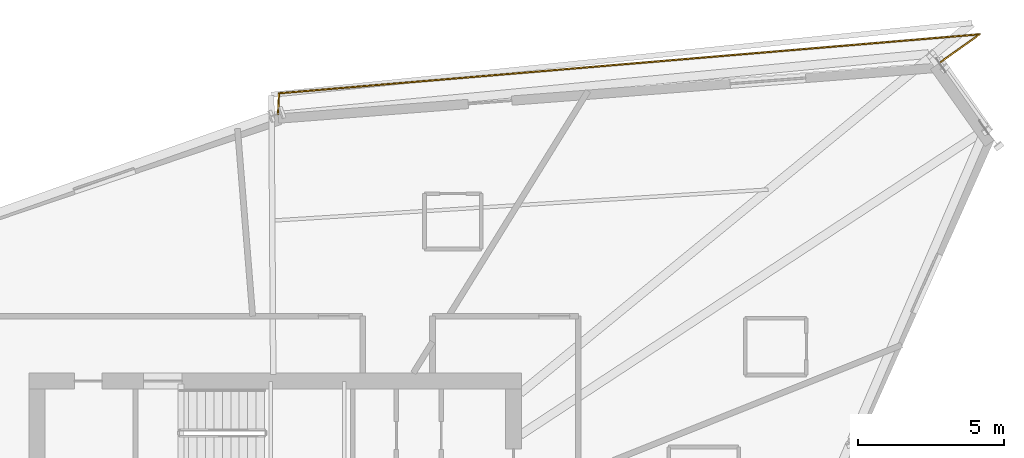
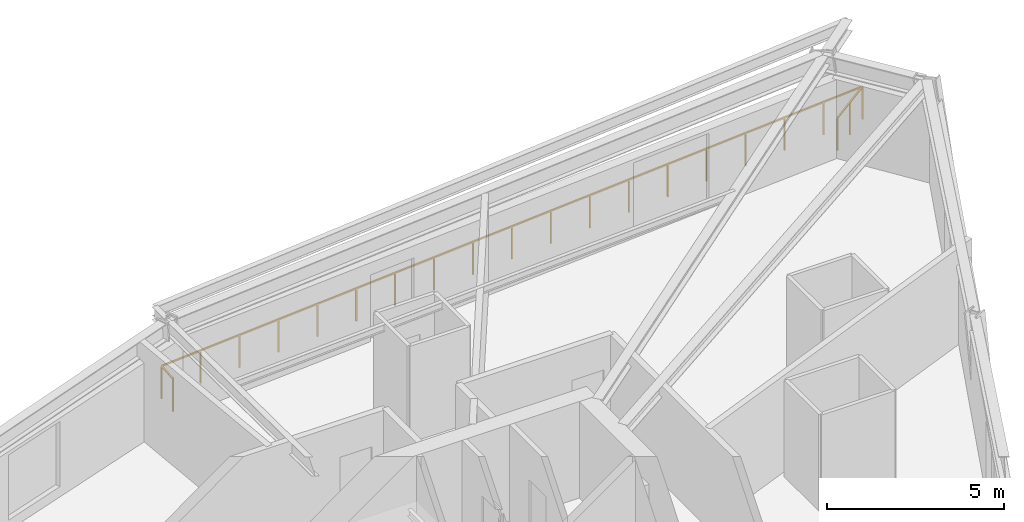
# One storey, part 14 of 14: 1 railing.
"""IFC4 building model written with IfcOpenShell, lengths in metres."""

from ifc_helpers import new_model, si_unit, direction, frame, origin, origin_2d, place, context, subcontext, project, spatial, rectangle, extrude, material, type_object, element, save


model = new_model("IFC4")

# Units and contexts
model_context = context("Model", 3, precision=1e-05, world=origin(), true_north=direction((0.0, 1.0)))
body_context = subcontext(model_context, "Body", "Model", "MODEL_VIEW")
ifc_project = project(units=[si_unit("LENGTHUNIT", "METRE"), si_unit("AREAUNIT", "SQUARE_METRE"), si_unit("VOLUMEUNIT", "CUBIC_METRE"), si_unit("PLANEANGLEUNIT", "RADIAN"), si_unit("MASSUNIT", "GRAM", prefix="KILO")], contexts=[model_context])

# Site, building, storey
site_placement = place(None, origin())
site = spatial("IfcSite", under=ifc_project, at=site_placement, CompositionType="ELEMENT")
building_placement = place(site_placement, origin())
building = spatial("IfcBuilding", under=site, at=building_placement, Name="Olszyna Solenne Hotel", CompositionType="ELEMENT")
storey_placement = place(building_placement, frame((0.0, 0.0, 178.550048828125)))
storey = spatial("IfcBuildingStorey", under=building, at=storey_placement, Name="L47", CompositionType="ELEMENT", Elevation=178.550048828125)

# Railing
ifc_material = material(Name="Anodised bronze aluminium", Category="aluminium")
railing_type = type_object("IfcRailingType", Name="GR-110", PredefinedType="BALUSTRADE", material=ifc_material)
railing_placement = place(storey_placement, frame((60.798095703125, 44.89404296875, 0.0)))
element("IfcRailing", 1, at=railing_placement, inside=storey, type_object=railing_type, Name="Loggia balcony balustrade guard GR-L47-LG1", PredefinedType="BALUSTRADE", context=body_context, shape_type="SweptSolid", body=[
    extrude(rectangle(XDim=0.048095703125, YDim=0.048095703125, at=origin_2d()), frame((0.0, 0.0, 1.1259765625), z_axis=(0.813840705866, 0.581088035908, 0.0), x_axis=(-0.581088035908, 0.813840705866, 0.0)), (0.0, 0.0, 1.0), 1.69189453125),
    extrude(rectangle(XDim=0.048095703125, YDim=0.048095703125, at=origin_2d()), frame((1.376953125, 0.983154296875, 1.1259765625), z_axis=(-0.99647500838, -0.083890152421, 0.0), x_axis=(0.083890152421, -0.99647500838, 0.0)), (0.0, 0.0, 1.0), 24.134521484375),
    extrude(rectangle(XDim=0.048095703125, YDim=0.048095703125, at=origin_2d()), frame((-22.672607421875, -1.04150390625, 1.1259765625), z_axis=(-0.047516072164, -0.998870473528, 0.0), x_axis=(0.998870473528, -0.047516072164, 0.0)), (0.0, 0.0, 1.0), 0.708984375),
    extrude(rectangle(XDim=0.0419921875, YDim=0.0419921875, at=origin_2d()), origin(), (0.0, 0.0, 1.0), 1.101806640625),
    extrude(rectangle(XDim=0.0419921875, YDim=0.0419921875, at=origin_2d()), frame((0.6884765625, 0.49169921875, 0.0)), (0.0, 0.0, 1.0), 1.101806640625),
    extrude(rectangle(XDim=0.0419921875, YDim=0.0419921875, at=origin_2d()), frame((1.376953125, 0.983154296875, 0.0)), (0.0, 0.0, 1.0), 1.101806640625),
    extrude(rectangle(XDim=0.0419921875, YDim=0.0419921875, at=origin_2d()), frame((0.040771484375, 0.87060546875, 0.0)), (0.0, 0.0, 1.0), 1.101806640625),
    extrude(rectangle(XDim=0.0419921875, YDim=0.0419921875, at=origin_2d()), frame((-1.295166015625, 0.75830078125, 0.0)), (0.0, 0.0, 1.0), 1.101806640625),
    extrude(rectangle(XDim=0.0419921875, YDim=0.0419921875, at=origin_2d()), frame((-2.63134765625, 0.645751953125, 0.0)), (0.0, 0.0, 1.0), 1.101806640625),
    extrude(rectangle(XDim=0.0419921875, YDim=0.0419921875, at=origin_2d()), frame((-3.96728515625, 0.533203125, 0.0)), (0.0, 0.0, 1.0), 1.101806640625),
    extrude(rectangle(XDim=0.0419921875, YDim=0.0419921875, at=origin_2d()), frame((-5.303466796875, 0.420654296875, 0.0)), (0.0, 0.0, 1.0), 1.101806640625),
    extrude(rectangle(XDim=0.0419921875, YDim=0.0419921875, at=origin_2d()), frame((-6.6396484375, 0.308349609375, 0.0)), (0.0, 0.0, 1.0), 1.101806640625),
    extrude(rectangle(XDim=0.0419921875, YDim=0.0419921875, at=origin_2d()), frame((-7.9755859375, 0.19580078125, 0.0)), (0.0, 0.0, 1.0), 1.101806640625),
    extrude(rectangle(XDim=0.0419921875, YDim=0.0419921875, at=origin_2d()), frame((-9.311767578125, 0.083251953125, 0.0)), (0.0, 0.0, 1.0), 1.101806640625),
    extrude(rectangle(XDim=0.0419921875, YDim=0.0419921875, at=origin_2d()), frame((-10.64794921875, -0.029296875, 0.0)), (0.0, 0.0, 1.0), 1.101806640625),
    extrude(rectangle(XDim=0.0419921875, YDim=0.0419921875, at=origin_2d()), frame((-11.98388671875, -0.1416015625, 0.0)), (0.0, 0.0, 1.0), 1.101806640625),
    extrude(rectangle(XDim=0.0419921875, YDim=0.0419921875, at=origin_2d()), frame((-13.320068359375, -0.254150390625, 0.0)), (0.0, 0.0, 1.0), 1.101806640625),
    extrude(rectangle(XDim=0.0419921875, YDim=0.0419921875, at=origin_2d()), frame((-14.656005859375, -0.36669921875, 0.0)), (0.0, 0.0, 1.0), 1.101806640625),
    extrude(rectangle(XDim=0.0419921875, YDim=0.0419921875, at=origin_2d()), frame((-15.9921875, -0.47900390625, 0.0)), (0.0, 0.0, 1.0), 1.101806640625),
    extrude(rectangle(XDim=0.0419921875, YDim=0.0419921875, at=origin_2d()), frame((-17.328369140625, -0.591552734375, 0.0)), (0.0, 0.0, 1.0), 1.101806640625),
    extrude(rectangle(XDim=0.0419921875, YDim=0.0419921875, at=origin_2d()), frame((-18.664306640625, -0.7041015625, 0.0)), (0.0, 0.0, 1.0), 1.101806640625),
    extrude(rectangle(XDim=0.0419921875, YDim=0.0419921875, at=origin_2d()), frame((-20.00048828125, -0.816650390625, 0.0)), (0.0, 0.0, 1.0), 1.101806640625),
    extrude(rectangle(XDim=0.0419921875, YDim=0.0419921875, at=origin_2d()), frame((-21.33642578125, -0.928955078125, 0.0)), (0.0, 0.0, 1.0), 1.101806640625),
    extrude(rectangle(XDim=0.0419921875, YDim=0.0419921875, at=origin_2d()), frame((-22.672607421875, -1.04150390625, 0.0)), (0.0, 0.0, 1.0), 1.101806640625),
    extrude(rectangle(XDim=0.0419921875, YDim=0.0419921875, at=origin_2d()), frame((-22.706298828125, -1.749755859375, 0.0)), (0.0, 0.0, 1.0), 1.101806640625),
])

save(model, "model.ifc")
